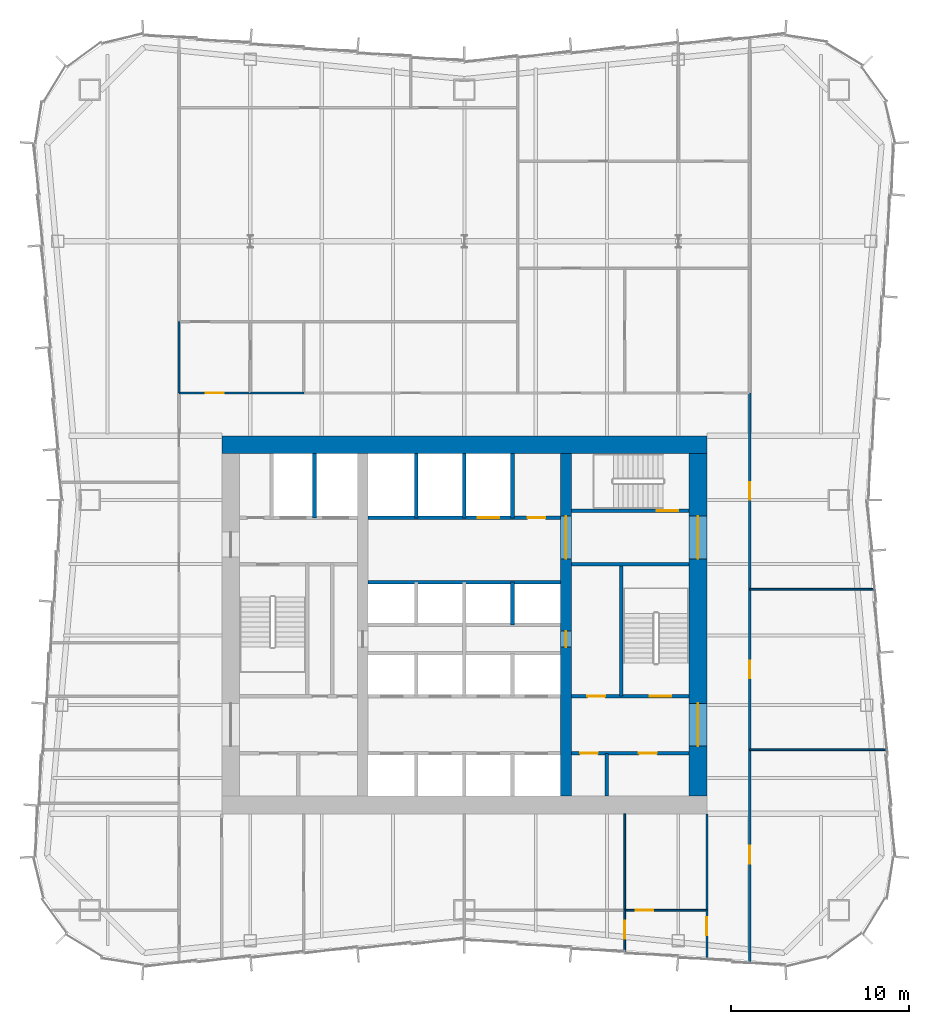
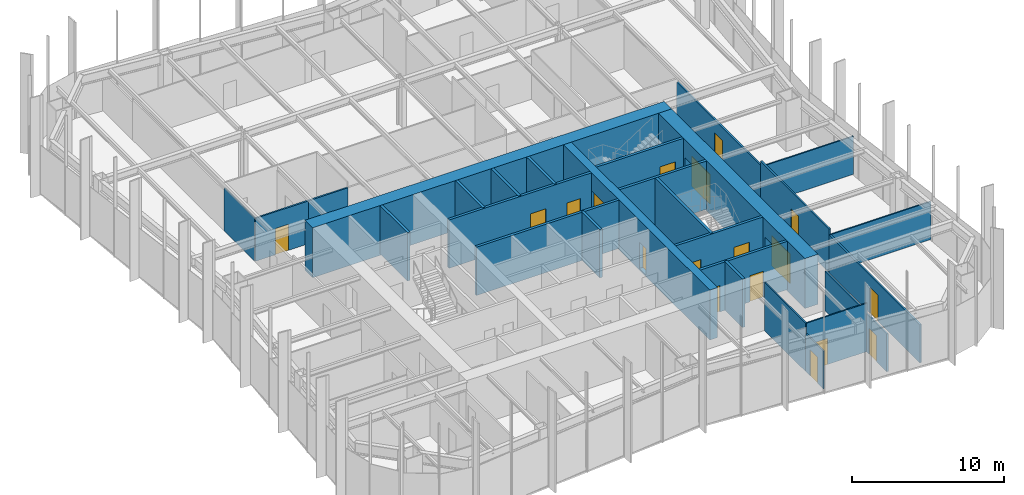
# One storey, part 11 of 14: 29 walls, 18 doors, 18 openings.
"""IFC4 building model written with IfcOpenShell, lengths in metres."""

from ifc_helpers import new_model, si_unit, direction, frame, frame_2d, origin, place, context, subcontext, project, spatial, rectangle, extrude, material, layer, layer_set, type_object, element, fill, save


model = new_model("IFC4")

# Units and contexts
model_context = context("Model", 3, precision=1e-05, world=origin(), true_north=direction((0.0, 1.0)))
body_context = subcontext(model_context, "Body", "Model", "MODEL_VIEW")
ifc_project = project(units=[si_unit("LENGTHUNIT", "METRE"), si_unit("AREAUNIT", "SQUARE_METRE"), si_unit("VOLUMEUNIT", "CUBIC_METRE"), si_unit("PLANEANGLEUNIT", "RADIAN"), si_unit("MASSUNIT", "GRAM", prefix="KILO")], contexts=[model_context])

# Site, building, storey
site_placement = place(None, origin())
site = spatial("IfcSite", under=ifc_project, at=site_placement, CompositionType="ELEMENT")
building_placement = place(site_placement, origin())
building = spatial("IfcBuilding", under=site, at=building_placement, Name="Verdant Reach Tower", CompositionType="ELEMENT")
storey_placement = place(building_placement, frame((0.0, 0.0, 162.0)))
storey = spatial("IfcBuildingStorey", under=building, at=storey_placement, Name="L37", CompositionType="ELEMENT", Elevation=162.0)

# Wall, openings, doors
ifc_material_1 = material(Name="Gypsum board on steel studs", Category="steel")
ifc_layer_1 = layer(ifc_material_1, 0.199951171875)
ifc_layer_set_1 = layer_set([ifc_layer_1], Name="CO-WALL-ROOM")
wall_type_1 = type_object("IfcWallType", Name="CO-WALL-ROOM", PredefinedType="PARTITIONING", material=ifc_layer_set_1)
wall_1_placement = place(storey_placement, frame((6.0, 20.800048828125, 0.0), z_axis=(0.0, 0.0, 1.0), x_axis=(1.0, 0.0, 0.0)))
wall_1 = element("IfcWall", 1, at=wall_1_placement, inside=storey, type_object=wall_type_1, Name="Core partition, L37", PredefinedType="PARTITIONING", context=body_context, shape_type="SweptSolid", body=[
    extrude(rectangle(XDim=6.60009765625, YDim=0.199951171875, at=frame_2d((3.300048828125, 0.0))), origin(), (0.0, 0.0, 1.0), 3.8701171875),
])
opening_1_placement = place(wall_1_placement, frame((0.489990234375, 0.0, 0.0)))
opening_1 = element("IfcOpeningElement", 2, at=opening_1_placement, cuts=wall_1, Name="Opening CD", PredefinedType="OPENING", context=body_context, shape_type="SweptSolid", body=[
    extrude(rectangle(XDim=1.0, YDim=2.10009765625, at=frame_2d((0.5, 1.050048828125))), frame((0.0, 0.10986328125, 0.0), z_axis=(0.0, -1.0, 0.0), x_axis=(1.0, 0.0, 0.0)), (0.0, 0.0, 1.0), 0.219970703125),
])
opening_2_placement = place(wall_1_placement, frame((3.7900390625, 0.0, 0.0)))
opening_2 = element("IfcOpeningElement", 3, at=opening_2_placement, cuts=wall_1, Name="Opening CD", PredefinedType="OPENING", context=body_context, shape_type="SweptSolid", body=[
    extrude(rectangle(XDim=1.0, YDim=2.10009765625, at=frame_2d((0.5, 1.050048828125))), frame((0.0, 0.10986328125, 0.0), z_axis=(0.0, -1.0, 0.0), x_axis=(1.0, 0.0, 0.0)), (0.0, 0.0, 1.0), 0.219970703125),
])
ifc_material_2 = material(Name="Timber", Category="wood")
door_type_1 = type_object("IfcDoorType", Name="CO-DOOR-ROOM", OperationType="NOTDEFINED", PredefinedType="DOOR", material=ifc_material_2)
door_1_placement = place(opening_1_placement, origin())
door_1 = element("IfcDoor", 4, at=door_1_placement, inside=storey, type_object=door_type_1, Name="Core room door, L37", OperationType="SINGLE_SWING_RIGHT", OverallHeight=2.10009765625, OverallWidth=1.0, PredefinedType="DOOR", context=body_context, shape_type="SweptSolid", body=[
    extrude(rectangle(XDim=1.0, YDim=2.10009765625, at=frame_2d((0.5, 1.050048828125))), frame((0.0, 0.02490234375, 0.0), z_axis=(0.0, -1.0, 0.0), x_axis=(1.0, 0.0, 0.0)), (0.0, 0.0, 1.0), 0.050048828125),
])
fill(opening_1, door_1)
door_2_placement = place(opening_2_placement, origin())
door_2 = element("IfcDoor", 5, at=door_2_placement, inside=storey, type_object=door_type_1, Name="Core room door, L37", OperationType="SINGLE_SWING_RIGHT", OverallHeight=2.10009765625, OverallWidth=1.0, PredefinedType="DOOR", context=body_context, shape_type="SweptSolid", body=[
    extrude(rectangle(XDim=1.0, YDim=2.10009765625, at=frame_2d((0.5, 1.050048828125))), frame((0.0, 0.02490234375, 0.0), z_axis=(0.0, -1.0, 0.0), x_axis=(1.0, 0.0, 0.0)), (0.0, 0.0, 1.0), 0.050048828125),
])
fill(opening_2, door_2)

# Walls
wall_2_placement = place(storey_placement, frame((7.97998046875, 18.39990234375, 0.0), z_axis=(0.0, 0.0, 1.0), x_axis=(0.0, 1.0, 0.0)))
element("IfcWall", 6, at=wall_2_placement, inside=storey, type_object=wall_type_1, Name="Core partition, L37", PredefinedType="PARTITIONING", context=body_context, shape_type="SweptSolid", body=[
    extrude(rectangle(XDim=2.400146484375, YDim=0.199951171875, at=frame_2d((1.2001953125, 0.0))), origin(), (0.0, 0.0, 1.0), 3.8701171875),
])
ifc_material_3 = material(Name="Concrete C40/50", Category="concrete")
ifc_layer_2 = layer(ifc_material_3, 0.199951171875)
ifc_layer_set_2 = layer_set([ifc_layer_2], Name="CO-WALL-SHAFT")
wall_type_2 = type_object("IfcWallType", Name="CO-WALL-SHAFT", PredefinedType="PARTITIONING", material=ifc_layer_set_2)
wall_3_placement = place(storey_placement, frame((-5.39990234375, 30.39990234375, 0.0), z_axis=(0.0, 0.0, 1.0), x_axis=(1.0, 0.0, 0.0)))
element("IfcWall", 7, at=wall_3_placement, inside=storey, type_object=wall_type_2, Name="Lift shaft wall, L37", PredefinedType="PARTITIONING", context=body_context, shape_type="SweptSolid", body=[
    extrude(rectangle(XDim=10.7998046875, YDim=0.199951171875, at=frame_2d((5.39990234375, 0.0))), origin(), (0.0, 0.0, 1.0), 3.8701171875),
])

# Wall, openings, doors
wall_4_placement = place(storey_placement, frame((-5.39990234375, 34.0, 0.0), z_axis=(0.0, 0.0, 1.0), x_axis=(1.0, 0.0, 0.0)))
wall_4 = element("IfcWall", 8, at=wall_4_placement, inside=storey, type_object=wall_type_2, Name="Lift shaft wall, L37", PredefinedType="PARTITIONING", context=body_context, shape_type="SweptSolid", body=[
    extrude(rectangle(XDim=10.7998046875, YDim=0.199951171875, at=frame_2d((5.39990234375, 0.0))), origin(), (0.0, 0.0, 1.0), 3.8701171875),
])
opening_3_placement = place(wall_4_placement, frame((6.14990234375, 0.0, 0.0)))
opening_3 = element("IfcOpeningElement", 9, at=opening_3_placement, cuts=wall_4, Name="Opening LD-SL1", PredefinedType="OPENING", context=body_context, shape_type="SweptSolid", body=[
    extrude(rectangle(XDim=1.199951171875, YDim=2.199951171875, at=frame_2d((0.60009765625, 1.10009765625))), frame((0.0, 0.10986328125, 0.0), z_axis=(0.0, -1.0, 0.0), x_axis=(1.0, 0.0, 0.0)), (0.0, 0.0, 1.0), 0.219970703125),
])
opening_4_placement = place(wall_4_placement, frame((8.949951171875, 0.0, 0.0)))
opening_4 = element("IfcOpeningElement", 10, at=opening_4_placement, cuts=wall_4, Name="Opening CD", PredefinedType="OPENING", context=body_context, shape_type="SweptSolid", body=[
    extrude(rectangle(XDim=1.0, YDim=2.10009765625, at=frame_2d((0.5, 1.050048828125))), frame((0.0, 0.10986328125, 0.0), z_axis=(0.0, -1.0, 0.0), x_axis=(1.0, 0.0, 0.0)), (0.0, 0.0, 1.0), 0.219970703125),
])
ifc_material_4 = material(Name="Stainless steel", Category="steel")
door_type_2 = type_object("IfcDoorType", Name="CO-DOOR-LANDING", OperationType="SLIDING_TO_LEFT", PredefinedType="DOOR", material=ifc_material_4)
door_3_placement = place(opening_3_placement, origin())
door_3 = element("IfcDoor", 11, at=door_3_placement, inside=storey, type_object=door_type_2, Name="Landing door SL1, L37", OperationType="SLIDING_TO_LEFT", OverallHeight=2.199951171875, OverallWidth=1.199951171875, PredefinedType="DOOR", context=body_context, shape_type="SweptSolid", body=[
    extrude(rectangle(XDim=1.199951171875, YDim=2.199951171875, at=frame_2d((0.60009765625, 1.10009765625))), frame((0.0, 0.02490234375, 0.0), z_axis=(0.0, -1.0, 0.0), x_axis=(1.0, 0.0, 0.0)), (0.0, 0.0, 1.0), 0.050048828125),
])
fill(opening_3, door_3)
door_4_placement = place(opening_4_placement, origin())
door_4 = element("IfcDoor", 12, at=door_4_placement, inside=storey, type_object=door_type_1, Name="Core room door, L37", OperationType="SINGLE_SWING_LEFT", OverallHeight=2.10009765625, OverallWidth=1.0, PredefinedType="DOOR", context=body_context, shape_type="SweptSolid", body=[
    extrude(rectangle(XDim=1.0, YDim=2.10009765625, at=frame_2d((0.5, 1.050048828125))), frame((0.0, 0.02490234375, 0.0), z_axis=(0.0, -1.0, 0.0), x_axis=(1.0, 0.0, 0.0)), (0.0, 0.0, 1.0), 0.050048828125),
])
fill(opening_4, door_4)

# Walls
for number, where, z_axis, x_axis, name in (
    (13, (-8.39990234375, 34.0, 0.0), (0.0, 0.0, 1.0), (0.0, 1.0, 0.0), "Lift shaft wall, L37"),
    (14, (-2.699951171875, 34.0, 0.0), (0.0, 0.0, 1.0), (0.0, 1.0, 0.0), "Lift shaft wall, L37"),
    (15, (0.0, 34.0, 0.0), (0.0, 0.0, 1.0), (0.0, 1.0, 0.0), "Lift shaft wall, L37"),
):
    element("IfcWall", number, at=place(storey_placement, frame(where, z_axis=z_axis, x_axis=x_axis)), inside=storey, type_object=wall_type_2, Name=name, PredefinedType="PARTITIONING", context=body_context, shape_type="SweptSolid", body=[
        extrude(rectangle(XDim=3.60009765625, YDim=0.199951171875, at=frame_2d((1.800048828125, 0.0))), origin(), (0.0, 0.0, 1.0), 3.8701171875),
    ])
wall_5_placement = place(storey_placement, frame((2.699951171875, 28.0, 0.0), z_axis=(0.0, 0.0, 1.0), x_axis=(0.0, 1.0, 0.0)))
element("IfcWall", 16, at=wall_5_placement, inside=storey, type_object=wall_type_2, Name="Lift shaft wall, L37", PredefinedType="PARTITIONING", context=body_context, shape_type="SweptSolid", body=[
    extrude(rectangle(XDim=2.39990234375, YDim=0.199951171875, at=frame_2d((1.199951171875, 0.0))), origin(), (0.0, 0.0, 1.0), 3.8701171875),
])
wall_6_placement = place(storey_placement, frame((2.699951171875, 34.0, 0.0), z_axis=(0.0, 0.0, 1.0), x_axis=(0.0, 1.0, 0.0)))
element("IfcWall", 17, at=wall_6_placement, inside=storey, type_object=wall_type_2, Name="Lift shaft wall, L37", PredefinedType="PARTITIONING", context=body_context, shape_type="SweptSolid", body=[
    extrude(rectangle(XDim=3.60009765625, YDim=0.199951171875, at=frame_2d((1.800048828125, 0.0))), origin(), (0.0, 0.0, 1.0), 3.8701171875),
])

# Wall, openings, doors
ifc_layer_3 = layer(ifc_material_3, 0.199951171875)
ifc_layer_set_3 = layer_set([ifc_layer_3], Name="CO-WALL-STAIR")
wall_type_3 = type_object("IfcWallType", Name="CO-WALL-STAIR", PredefinedType="PARTITIONING", material=ifc_layer_set_3)
wall_7_placement = place(storey_placement, frame((6.0, 24.0, 0.0), z_axis=(0.0, 0.0, 1.0), x_axis=(1.0, 0.0, 0.0)))
wall_7 = element("IfcWall", 18, at=wall_7_placement, inside=storey, type_object=wall_type_3, Name="Stair enclosure wall, L37", PredefinedType="PARTITIONING", context=body_context, shape_type="SweptSolid", body=[
    extrude(rectangle(XDim=6.60009765625, YDim=0.199951171875, at=frame_2d((3.300048828125, 0.0))), origin(), (0.0, 0.0, 1.0), 3.8701171875),
])
opening_5_placement = place(wall_7_placement, frame((0.89990234375, 0.0, 0.0)))
opening_5 = element("IfcOpeningElement", 19, at=opening_5_placement, cuts=wall_7, Name="Opening CD", PredefinedType="OPENING", context=body_context, shape_type="SweptSolid", body=[
    extrude(rectangle(XDim=1.0, YDim=2.10009765625, at=frame_2d((0.5, 1.050048828125))), frame((0.0, 0.10986328125, 0.0), z_axis=(0.0, -1.0, 0.0), x_axis=(1.0, 0.0, 0.0)), (0.0, 0.0, 1.0), 0.219970703125),
])
opening_6_placement = place(wall_7_placement, frame((4.39990234375, 0.0, 0.0)))
opening_6 = element("IfcOpeningElement", 20, at=opening_6_placement, cuts=wall_7, Name="Opening SD", PredefinedType="OPENING", context=body_context, shape_type="SweptSolid", body=[
    extrude(rectangle(XDim=1.199951171875, YDim=2.199951171875, at=frame_2d((0.60009765625, 1.10009765625))), frame((0.0, 0.10986328125, 0.0), z_axis=(0.0, -1.0, 0.0), x_axis=(1.0, 0.0, 0.0)), (0.0, 0.0, 1.0), 0.219970703125),
])
door_5_placement = place(opening_5_placement, origin())
door_5 = element("IfcDoor", 21, at=door_5_placement, inside=storey, type_object=door_type_1, Name="Core room door, L37", OperationType="SINGLE_SWING_RIGHT", OverallHeight=2.10009765625, OverallWidth=1.0, PredefinedType="DOOR", context=body_context, shape_type="SweptSolid", body=[
    extrude(rectangle(XDim=1.0, YDim=2.10009765625, at=frame_2d((0.5, 1.050048828125))), frame((0.0, 0.02490234375, 0.0), z_axis=(0.0, -1.0, 0.0), x_axis=(1.0, 0.0, 0.0)), (0.0, 0.0, 1.0), 0.050048828125),
])
fill(opening_5, door_5)
ifc_material_5 = material(Name="Steel", Category="steel")
door_type_3 = type_object("IfcDoorType", Name="CO-DOOR-STAIR", OperationType="NOTDEFINED", PredefinedType="DOOR", material=ifc_material_5)
door_6_placement = place(opening_6_placement, origin())
door_6 = element("IfcDoor", 22, at=door_6_placement, inside=storey, type_object=door_type_3, Name="Stair door, L37", OperationType="SINGLE_SWING_LEFT", OverallHeight=2.199951171875, OverallWidth=1.199951171875, PredefinedType="DOOR", context=body_context, shape_type="SweptSolid", body=[
    extrude(rectangle(XDim=1.199951171875, YDim=2.199951171875, at=frame_2d((0.60009765625, 1.10009765625))), frame((0.0, 0.02490234375, 0.0), z_axis=(0.0, -1.0, 0.0), x_axis=(1.0, 0.0, 0.0)), (0.0, 0.0, 1.0), 0.050048828125),
])
fill(opening_6, door_6)

# Wall
wall_8_placement = place(storey_placement, frame((6.0, 31.39990234375, 0.0), z_axis=(0.0, 0.0, 1.0), x_axis=(1.0, 0.0, 0.0)))
element("IfcWall", 23, at=wall_8_placement, inside=storey, type_object=wall_type_3, Name="Stair enclosure wall, L37", PredefinedType="PARTITIONING", context=body_context, shape_type="SweptSolid", body=[
    extrude(rectangle(XDim=6.60009765625, YDim=0.199951171875, at=frame_2d((3.300048828125, 0.0))), origin(), (0.0, 0.0, 1.0), 3.8701171875),
])

# Wall, opening, door
wall_9_placement = place(storey_placement, frame((6.0, 34.39990234375, 0.0), z_axis=(0.0, 0.0, 1.0), x_axis=(1.0, 0.0, 0.0)))
wall_9 = element("IfcWall", 24, at=wall_9_placement, inside=storey, type_object=wall_type_3, Name="Stair enclosure wall, L37", PredefinedType="PARTITIONING", context=body_context, shape_type="SweptSolid", body=[
    extrude(rectangle(XDim=6.60009765625, YDim=0.199951171875, at=frame_2d((3.300048828125, 0.0))), origin(), (0.0, 0.0, 1.0), 3.8701171875),
])
opening_7_placement = place(wall_9_placement, frame((4.800048828125, 0.0, 0.0)))
opening_7 = element("IfcOpeningElement", 25, at=opening_7_placement, cuts=wall_9, Name="Opening SD", PredefinedType="OPENING", context=body_context, shape_type="SweptSolid", body=[
    extrude(rectangle(XDim=1.199951171875, YDim=2.199951171875, at=frame_2d((0.60009765625, 1.10009765625))), frame((0.0, 0.10986328125, 0.0), z_axis=(0.0, -1.0, 0.0), x_axis=(1.0, 0.0, 0.0)), (0.0, 0.0, 1.0), 0.219970703125),
])
door_7_placement = place(opening_7_placement, origin())
door_7 = element("IfcDoor", 26, at=door_7_placement, inside=storey, type_object=door_type_3, Name="Stair door, L37", OperationType="SINGLE_SWING_RIGHT", OverallHeight=2.199951171875, OverallWidth=1.199951171875, PredefinedType="DOOR", context=body_context, shape_type="SweptSolid", body=[
    extrude(rectangle(XDim=1.199951171875, YDim=2.199951171875, at=frame_2d((0.60009765625, 1.10009765625))), frame((0.0, 0.02490234375, 0.0), z_axis=(0.0, -1.0, 0.0), x_axis=(1.0, 0.0, 0.0)), (0.0, 0.0, 1.0), 0.050048828125),
])
fill(opening_7, door_7)

# Walls
wall_10_placement = place(storey_placement, frame((8.800048828125, 24.0, 0.0), z_axis=(0.0, 0.0, 1.0), x_axis=(0.0, 1.0, 0.0)))
element("IfcWall", 27, at=wall_10_placement, inside=storey, type_object=wall_type_3, Name="Stair enclosure wall, L37", PredefinedType="PARTITIONING", context=body_context, shape_type="SweptSolid", body=[
    extrude(rectangle(XDim=7.39990234375, YDim=0.199951171875, at=frame_2d((3.699951171875, 0.0))), origin(), (0.0, 0.0, 1.0), 3.8701171875),
])
ifc_layer_4 = layer(ifc_material_1, 0.10009765625)
ifc_layer_set_4 = layer_set([ifc_layer_4], Name="FL-W1 Partition 100")
wall_type_4 = type_object("IfcWallType", Name="FL-W1 Partition 100", PredefinedType="PARTITIONING", material=ifc_layer_set_4)
wall_11_placement = place(storey_placement, frame((-16.0, 41.0, 0.0), z_axis=(0.0, 0.0, 1.0), x_axis=(0.0, 1.0, 0.0)))
element("IfcWall", 28, at=wall_11_placement, inside=storey, type_object=wall_type_4, Name="Partition 37.26", PredefinedType="PARTITIONING", context=body_context, shape_type="SweptSolid", body=[
    extrude(rectangle(XDim=4.0, YDim=0.10009765625, at=frame_2d((2.0, 0.0))), origin(), (0.0, 0.0, 1.0), 3.43994140625),
])
wall_12_placement = place(storey_placement, frame((23.6298828125, 21.0, 0.0), z_axis=(0.0, 0.0, 1.0), x_axis=(-1.0, 0.0, 0.0)))
element("IfcWall", 29, at=wall_12_placement, inside=storey, type_object=wall_type_4, Name="Partition 37.29", PredefinedType="PARTITIONING", context=body_context, shape_type="SweptSolid", body=[
    extrude(rectangle(XDim=7.6298828125, YDim=0.10009765625, at=frame_2d((3.81494140625, 0.0))), origin(), (0.0, 0.0, 1.0), 3.0400390625),
])
wall_13_placement = place(storey_placement, frame((22.955078125, 30.0, 0.0), z_axis=(0.0, 0.0, 1.0), x_axis=(-1.0, 0.0, 0.0)))
element("IfcWall", 30, at=wall_13_placement, inside=storey, type_object=wall_type_4, Name="Partition 37.30", PredefinedType="PARTITIONING", context=body_context, shape_type="SweptSolid", body=[
    extrude(rectangle(XDim=6.955078125, YDim=0.10009765625, at=frame_2d((3.4775390625, 0.0))), origin(), (0.0, 0.0, 1.0), 3.0400390625),
])

# Wall, opening, door
wall_14_placement = place(storey_placement, frame((9.0, 12.0, 0.0), z_axis=(0.0, 0.0, 1.0), x_axis=(1.0, 0.0, 0.0)))
wall_14 = element("IfcWall", 31, at=wall_14_placement, inside=storey, type_object=wall_type_4, Name="Partition 37.37", PredefinedType="PARTITIONING", context=body_context, shape_type="SweptSolid", body=[
    extrude(rectangle(XDim=4.60009765625, YDim=0.10009765625, at=frame_2d((2.300048828125, 0.0))), origin(), (0.0, 0.0, 1.0), 3.8701171875),
])
opening_8_placement = place(wall_14_placement, frame((0.60009765625, 0.0, 0.0)))
opening_8 = element("IfcOpeningElement", 32, at=opening_8_placement, cuts=wall_14, Name="Opening D3", PredefinedType="OPENING", context=body_context, shape_type="SweptSolid", body=[
    extrude(rectangle(XDim=1.0, YDim=2.10009765625, at=frame_2d((0.5, 1.050048828125))), frame((0.0, 0.06005859375, 0.0), z_axis=(0.0, -1.0, 0.0), x_axis=(1.0, 0.0, 0.0)), (0.0, 0.0, 1.0), 0.1201171875),
])
ifc_material_6 = material(Name="Painted timber door leaf", Category="wood")
door_type_4 = type_object("IfcDoorType", Name="FL-D3 Door 1000x2100", OperationType="NOTDEFINED", PredefinedType="DOOR", material=ifc_material_6)
door_8_placement = place(opening_8_placement, origin())
door_8 = element("IfcDoor", 33, at=door_8_placement, inside=storey, type_object=door_type_4, Name="Door 37-018", OperationType="SINGLE_SWING_LEFT", OverallHeight=2.10009765625, OverallWidth=1.0, PredefinedType="DOOR", context=body_context, shape_type="SweptSolid", body=[
    extrude(rectangle(XDim=1.0, YDim=2.10009765625, at=frame_2d((0.5, 1.050048828125))), frame((0.0, 0.02490234375, 0.0), z_axis=(0.0, -1.0, 0.0), x_axis=(1.0, 0.0, 0.0)), (0.0, 0.0, 1.0), 0.050048828125),
])
fill(opening_8, door_8)

wall_15_placement = place(storey_placement, frame((9.0, 9.669921875, 0.0), z_axis=(0.0, 0.0, 1.0), x_axis=(0.0, 1.0, 0.0)))
wall_15 = element("IfcWall", 34, at=wall_15_placement, inside=storey, type_object=wall_type_4, Name="Partition 37.38", PredefinedType="PARTITIONING", context=body_context, shape_type="SweptSolid", body=[
    extrude(rectangle(XDim=2.330078125, YDim=0.10009765625, at=frame_2d((1.1650390625, 0.0))), origin(), (0.0, 0.0, 1.0), 3.0400390625),
])
opening_9_placement = place(wall_15_placement, frame((0.72998046875, 0.0, 0.0)))
opening_9 = element("IfcOpeningElement", 35, at=opening_9_placement, cuts=wall_15, Name="Opening D3", PredefinedType="OPENING", context=body_context, shape_type="SweptSolid", body=[
    extrude(rectangle(XDim=1.0, YDim=2.10009765625, at=frame_2d((0.5, 1.050048828125))), frame((0.0, 0.06005859375, 0.0), z_axis=(0.0, -1.0, 0.0), x_axis=(1.0, 0.0, 0.0)), (0.0, 0.0, 1.0), 0.1201171875),
])
door_9_placement = place(opening_9_placement, origin())
door_9 = element("IfcDoor", 36, at=door_9_placement, inside=storey, type_object=door_type_4, Name="Door 37-019", OperationType="SINGLE_SWING_RIGHT", OverallHeight=2.10009765625, OverallWidth=1.0, PredefinedType="DOOR", context=body_context, shape_type="SweptSolid", body=[
    extrude(rectangle(XDim=1.0, YDim=2.10009765625, at=frame_2d((0.5, 1.050048828125))), frame((0.0, 0.02490234375, 0.0), z_axis=(0.0, -1.0, 0.0), x_axis=(1.0, 0.0, 0.0)), (0.0, 0.0, 1.0), 0.050048828125),
])
fill(opening_9, door_9)

# Wall
wall_16_placement = place(storey_placement, frame((9.0, 17.39990234375, 0.0), z_axis=(0.0, 0.0, 1.0), x_axis=(0.0, -1.0, 0.0)))
element("IfcWall", 37, at=wall_16_placement, inside=storey, type_object=wall_type_4, Name="Partition 37.39", PredefinedType="PARTITIONING", context=body_context, shape_type="SweptSolid", body=[
    extrude(rectangle(XDim=5.39990234375, YDim=0.10009765625, at=frame_2d((2.699951171875, 0.0))), origin(), (0.0, 0.0, 1.0), 3.8701171875),
])

# Wall, opening, door
ifc_material_7 = material(Name="Gypsum board on steel studs, fire rated", Category="steel")
ifc_layer_5 = layer(ifc_material_7, 0.125)
ifc_layer_set_5 = layer_set([ifc_layer_5], Name="FL-W2 Corridor wall 125")
wall_type_5 = type_object("IfcWallType", Name="FL-W2 Corridor wall 125", PredefinedType="PARTITIONING", material=ifc_layer_set_5)
wall_17_placement = place(storey_placement, frame((16.0, 21.0, 0.0), z_axis=(0.0, 0.0, 1.0), x_axis=(0.0, -1.0, 0.0)))
wall_17 = element("IfcWall", 38, at=wall_17_placement, inside=storey, type_object=wall_type_5, Name="Partition 37.08", PredefinedType="PARTITIONING", context=body_context, shape_type="SweptSolid", body=[
    extrude(rectangle(XDim=11.913330078125, YDim=0.125, at=frame_2d((5.95654296875, 0.0))), origin(), (0.0, 0.0, 1.0), 3.0400390625),
])
opening_10_placement = place(wall_17_placement, frame((5.3916015625, 0.0, 0.0)))
opening_10 = element("IfcOpeningElement", 39, at=opening_10_placement, cuts=wall_17, Name="Opening D2", PredefinedType="OPENING", context=body_context, shape_type="SweptSolid", body=[
    extrude(rectangle(XDim=1.0, YDim=2.10009765625, at=frame_2d((0.5, 1.050048828125))), frame((0.0, 0.072509765625, 0.0), z_axis=(0.0, -1.0, 0.0), x_axis=(1.0, 0.0, 0.0)), (0.0, 0.0, 1.0), 0.14501953125),
])
ifc_material_8 = material(Name="Timber door leaf, fire rated", Category="wood")
door_type_5 = type_object("IfcDoorType", Name="FL-D2 Entrance door 1000x2100 FD30", OperationType="NOTDEFINED", PredefinedType="DOOR", material=ifc_material_8)
door_10_placement = place(opening_10_placement, origin())
door_10 = element("IfcDoor", 40, at=door_10_placement, inside=storey, type_object=door_type_5, Name="Door 37-008", OperationType="SINGLE_SWING_LEFT", OverallHeight=2.10009765625, OverallWidth=1.0, PredefinedType="DOOR", context=body_context, shape_type="SweptSolid", body=[
    extrude(rectangle(XDim=1.0, YDim=2.10009765625, at=frame_2d((0.5, 1.050048828125))), frame((0.0, 0.02490234375, 0.0), z_axis=(0.0, -1.0, 0.0), x_axis=(1.0, 0.0, 0.0)), (0.0, 0.0, 1.0), 0.050048828125),
])
fill(opening_10, door_10)

wall_18_placement = place(storey_placement, frame((16.0, 30.0, 0.0), z_axis=(0.0, 0.0, 1.0), x_axis=(0.0, -1.0, 0.0)))
wall_18 = element("IfcWall", 41, at=wall_18_placement, inside=storey, type_object=wall_type_5, Name="Partition 37.09", PredefinedType="PARTITIONING", context=body_context, shape_type="SweptSolid", body=[
    extrude(rectangle(XDim=9.0, YDim=0.125, at=frame_2d((4.5, 0.0))), origin(), (0.0, 0.0, 1.0), 3.47998046875),
])
opening_11_placement = place(wall_18_placement, frame((4.0, 0.0, 0.0)))
opening_11 = element("IfcOpeningElement", 42, at=opening_11_placement, cuts=wall_18, Name="Opening D2", PredefinedType="OPENING", context=body_context, shape_type="SweptSolid", body=[
    extrude(rectangle(XDim=1.0, YDim=2.10009765625, at=frame_2d((0.5, 1.050048828125))), frame((0.0, 0.072509765625, 0.0), z_axis=(0.0, -1.0, 0.0), x_axis=(1.0, 0.0, 0.0)), (0.0, 0.0, 1.0), 0.14501953125),
])
door_11_placement = place(opening_11_placement, origin())
door_11 = element("IfcDoor", 43, at=door_11_placement, inside=storey, type_object=door_type_5, Name="Door 37-009", OperationType="SINGLE_SWING_LEFT", OverallHeight=2.10009765625, OverallWidth=1.0, PredefinedType="DOOR", context=body_context, shape_type="SweptSolid", body=[
    extrude(rectangle(XDim=1.0, YDim=2.10009765625, at=frame_2d((0.5, 1.050048828125))), frame((0.0, 0.02490234375, 0.0), z_axis=(0.0, -1.0, 0.0), x_axis=(1.0, 0.0, 0.0)), (0.0, 0.0, 1.0), 0.050048828125),
])
fill(opening_11, door_11)

wall_19_placement = place(storey_placement, frame((16.0, 41.00390625, 0.0), z_axis=(0.0, 0.0, 1.0), x_axis=(0.0, -1.0, 0.0)))
wall_19 = element("IfcWall", 44, at=wall_19_placement, inside=storey, type_object=wall_type_5, Name="Partition 37.10", PredefinedType="PARTITIONING", context=body_context, shape_type="SweptSolid", body=[
    extrude(rectangle(XDim=11.00390625, YDim=0.125, at=frame_2d((5.501953125, 0.0))), origin(), (0.0, 0.0, 1.0), 3.139892578125),
])
opening_12_placement = place(wall_19_placement, frame((5.001953125, 0.0, 0.0)))
opening_12 = element("IfcOpeningElement", 45, at=opening_12_placement, cuts=wall_19, Name="Opening D2", PredefinedType="OPENING", context=body_context, shape_type="SweptSolid", body=[
    extrude(rectangle(XDim=1.0, YDim=2.10009765625, at=frame_2d((0.5, 1.050048828125))), frame((0.0, 0.072509765625, 0.0), z_axis=(0.0, -1.0, 0.0), x_axis=(1.0, 0.0, 0.0)), (0.0, 0.0, 1.0), 0.14501953125),
])
door_12_placement = place(opening_12_placement, origin())
door_12 = element("IfcDoor", 46, at=door_12_placement, inside=storey, type_object=door_type_5, Name="Door 37-010", OperationType="SINGLE_SWING_RIGHT", OverallHeight=2.10009765625, OverallWidth=1.0, PredefinedType="DOOR", context=body_context, shape_type="SweptSolid", body=[
    extrude(rectangle(XDim=1.0, YDim=2.10009765625, at=frame_2d((0.5, 1.050048828125))), frame((0.0, 0.02490234375, 0.0), z_axis=(0.0, -1.0, 0.0), x_axis=(1.0, 0.0, 0.0)), (0.0, 0.0, 1.0), 0.050048828125),
])
fill(opening_12, door_12)

wall_20_placement = place(storey_placement, frame((13.60009765625, 9.28662109375, 0.0), z_axis=(0.0, 0.0, 1.0), x_axis=(0.0, 1.0, 0.0)))
wall_20 = element("IfcWall", 47, at=wall_20_placement, inside=storey, type_object=wall_type_5, Name="Partition 37.12", PredefinedType="PARTITIONING", context=body_context, shape_type="SweptSolid", body=[
    extrude(rectangle(XDim=2.71337890625, YDim=0.125, at=frame_2d((1.356689453125, 0.0))), origin(), (0.0, 0.0, 1.0), 3.0400390625),
])
opening_13_placement = place(wall_20_placement, frame((1.32177734375, 0.0, 0.0)))
opening_13 = element("IfcOpeningElement", 48, at=opening_13_placement, cuts=wall_20, Name="Opening D2", PredefinedType="OPENING", context=body_context, shape_type="SweptSolid", body=[
    extrude(rectangle(XDim=1.0, YDim=2.10009765625, at=frame_2d((0.5, 1.050048828125))), frame((0.0, 0.072509765625, 0.0), z_axis=(0.0, -1.0, 0.0), x_axis=(1.0, 0.0, 0.0)), (0.0, 0.0, 1.0), 0.14501953125),
])
door_13_placement = place(opening_13_placement, origin())
door_13 = element("IfcDoor", 49, at=door_13_placement, inside=storey, type_object=door_type_5, Name="Door 37-012", OperationType="SINGLE_SWING_RIGHT", OverallHeight=2.10009765625, OverallWidth=1.0, PredefinedType="DOOR", context=body_context, shape_type="SweptSolid", body=[
    extrude(rectangle(XDim=1.0, YDim=2.10009765625, at=frame_2d((0.5, 1.050048828125))), frame((0.0, 0.02490234375, 0.0), z_axis=(0.0, -1.0, 0.0), x_axis=(1.0, 0.0, 0.0)), (0.0, 0.0, 1.0), 0.050048828125),
])
fill(opening_13, door_13)

# Wall
wall_21_placement = place(storey_placement, frame((13.60009765625, 12.0, 0.0), z_axis=(0.0, 0.0, 1.0), x_axis=(0.0, 1.0, 0.0)))
element("IfcWall", 50, at=wall_21_placement, inside=storey, type_object=wall_type_5, Name="Partition 37.13", PredefinedType="PARTITIONING", context=body_context, shape_type="SweptSolid", body=[
    extrude(rectangle(XDim=5.39990234375, YDim=0.125, at=frame_2d((2.699951171875, 0.0))), origin(), (0.0, 0.0, 1.0), 3.139892578125),
])

# Wall, opening, door
wall_22_placement = place(storey_placement, frame((-16.0, 41.0, 0.0), z_axis=(0.0, 0.0, 1.0), x_axis=(1.0, 0.0, 0.0)))
wall_22 = element("IfcWall", 51, at=wall_22_placement, inside=storey, type_object=wall_type_5, Name="Partition 37.14", PredefinedType="PARTITIONING", context=body_context, shape_type="SweptSolid", body=[
    extrude(rectangle(XDim=4.0, YDim=0.125, at=frame_2d((2.0, 0.0))), origin(), (0.0, 0.0, 1.0), 3.43994140625),
])
opening_14_placement = place(wall_22_placement, frame((1.5, 0.0, 0.0)))
opening_14 = element("IfcOpeningElement", 52, at=opening_14_placement, cuts=wall_22, Name="Opening D2", PredefinedType="OPENING", context=body_context, shape_type="SweptSolid", body=[
    extrude(rectangle(XDim=1.0, YDim=2.10009765625, at=frame_2d((0.5, 1.050048828125))), frame((0.0, 0.072509765625, 0.0), z_axis=(0.0, -1.0, 0.0), x_axis=(1.0, 0.0, 0.0)), (0.0, 0.0, 1.0), 0.14501953125),
])
door_14_placement = place(opening_14_placement, origin())
door_14 = element("IfcDoor", 53, at=door_14_placement, inside=storey, type_object=door_type_5, Name="Door 37-013", OperationType="SINGLE_SWING_LEFT", OverallHeight=2.10009765625, OverallWidth=1.0, PredefinedType="DOOR", context=body_context, shape_type="SweptSolid", body=[
    extrude(rectangle(XDim=1.0, YDim=2.10009765625, at=frame_2d((0.5, 1.050048828125))), frame((0.0, 0.02490234375, 0.0), z_axis=(0.0, -1.0, 0.0), x_axis=(1.0, 0.0, 0.0)), (0.0, 0.0, 1.0), 0.050048828125),
])
fill(opening_14, door_14)

# Walls
wall_23_placement = place(storey_placement, frame((-9.0, 41.0, 0.0), z_axis=(0.0, 0.0, 1.0), x_axis=(-1.0, 0.0, 0.0)))
element("IfcWall", 54, at=wall_23_placement, inside=storey, type_object=wall_type_5, Name="Partition 37.15", PredefinedType="PARTITIONING", context=body_context, shape_type="SweptSolid", body=[
    extrude(rectangle(XDim=3.0, YDim=0.125, at=frame_2d((1.5, 0.0))), origin(), (0.0, 0.0, 1.0), 3.43994140625),
])
ifc_material_9 = material(Name="Concrete C70/85", Category="concrete")
ifc_layer_6 = layer(ifc_material_9, 1.0)
ifc_layer_set_6 = layer_set([ifc_layer_6], Name="ST-CORE-WALL-1000")
wall_type_6 = type_object("IfcWallType", Name="ST-CORE-WALL-1000", PredefinedType="SHEAR", material=ifc_layer_set_6)
wall_24_placement = place(storey_placement, frame((-13.60009765625, 38.10009765625, -0.1298828125), z_axis=(0.0, 0.0, 1.0), x_axis=(1.0, 0.0, 0.0)))
element("IfcWall", 55, at=wall_24_placement, inside=storey, type_object=wall_type_6, Name="Core wall N, L37", PredefinedType="SHEAR", context=body_context, shape_type="SweptSolid", body=[
    extrude(rectangle(XDim=27.2001953125, YDim=1.0, at=frame_2d((13.60009765625, 0.0))), origin(), (0.0, 0.0, 1.0), 4.0),
])

# Wall, openings, doors
wall_25_placement = place(storey_placement, frame((13.10009765625, 18.39990234375, -0.1298828125), z_axis=(0.0, 0.0, 1.0), x_axis=(0.0, 1.0, 0.0)))
wall_25 = element("IfcWall", 56, at=wall_25_placement, inside=storey, type_object=wall_type_6, Name="Core wall E, L37", PredefinedType="SHEAR", context=body_context, shape_type="SweptSolid", body=[
    extrude(rectangle(XDim=19.2001953125, YDim=1.0, at=frame_2d((9.60009765625, 0.0))), origin(), (0.0, 0.0, 1.0), 4.0),
])
opening_15_placement = place(wall_25_placement, frame((2.800048828125, 0.0, 0.1298828125)))
opening_15 = element("IfcOpeningElement", 57, at=opening_15_placement, cuts=wall_25, Name="Opening LB", PredefinedType="OPENING", context=body_context, shape_type="SweptSolid", body=[
    extrude(rectangle(XDim=2.39990234375, YDim=2.39990234375, at=frame_2d((1.199951171875, 1.199951171875))), frame((0.0, 0.510009765625, 0.0), z_axis=(0.0, -1.0, 0.0), x_axis=(1.0, 0.0, 0.0)), (0.0, 0.0, 1.0), 1.02001953125),
])
opening_16_placement = place(wall_25_placement, frame((13.300048828125, 0.0, 0.1298828125)))
opening_16 = element("IfcOpeningElement", 58, at=opening_16_placement, cuts=wall_25, Name="Opening LB", PredefinedType="OPENING", context=body_context, shape_type="SweptSolid", body=[
    extrude(rectangle(XDim=2.39990234375, YDim=2.39990234375, at=frame_2d((1.199951171875, 1.199951171875))), frame((0.0, 0.510009765625, 0.0), z_axis=(0.0, -1.0, 0.0), x_axis=(1.0, 0.0, 0.0)), (0.0, 0.0, 1.0), 1.02001953125),
])
ifc_material_10 = material(Name="Glass and steel", Category="steel")
door_type_6 = type_object("IfcDoorType", Name="CO-DOOR-LOBBY", OperationType="DOUBLE_DOOR_SINGLE_SWING", PredefinedType="DOOR", material=ifc_material_10)
door_15_placement = place(opening_15_placement, origin())
door_15 = element("IfcDoor", 59, at=door_15_placement, inside=storey, type_object=door_type_6, Name="Core entrance door, L37", OperationType="DOUBLE_DOOR_SINGLE_SWING", OverallHeight=2.39990234375, OverallWidth=2.39990234375, PredefinedType="DOOR", context=body_context, shape_type="SweptSolid", body=[
    extrude(rectangle(XDim=2.39990234375, YDim=2.39990234375, at=frame_2d((1.199951171875, 1.199951171875))), frame((0.0, 0.02490234375, 0.0), z_axis=(0.0, -1.0, 0.0), x_axis=(1.0, 0.0, 0.0)), (0.0, 0.0, 1.0), 0.050048828125),
])
fill(opening_15, door_15)
door_16_placement = place(opening_16_placement, origin())
door_16 = element("IfcDoor", 60, at=door_16_placement, inside=storey, type_object=door_type_6, Name="Core entrance door, L37", OperationType="DOUBLE_DOOR_SINGLE_SWING", OverallHeight=2.39990234375, OverallWidth=2.39990234375, PredefinedType="DOOR", context=body_context, shape_type="SweptSolid", body=[
    extrude(rectangle(XDim=2.39990234375, YDim=2.39990234375, at=frame_2d((1.199951171875, 1.199951171875))), frame((0.0, 0.02490234375, 0.0), z_axis=(0.0, -1.0, 0.0), x_axis=(1.0, 0.0, 0.0)), (0.0, 0.0, 1.0), 0.050048828125),
])
fill(opening_16, door_16)

ifc_layer_7 = layer(ifc_material_9, 0.60009765625)
ifc_layer_set_7 = layer_set([ifc_layer_7], Name="ST-CORE-WALL-600")
wall_type_7 = type_object("IfcWallType", Name="ST-CORE-WALL-600", PredefinedType="SHEAR", material=ifc_layer_set_7)
wall_26_placement = place(storey_placement, frame((5.699951171875, 18.39990234375, -0.1298828125), z_axis=(0.0, 0.0, 1.0), x_axis=(0.0, 1.0, 0.0)))
wall_26 = element("IfcWall", 61, at=wall_26_placement, inside=storey, type_object=wall_type_7, Name="Core wall XE, L37", PredefinedType="SHEAR", context=body_context, shape_type="SweptSolid", body=[
    extrude(rectangle(XDim=19.2001953125, YDim=0.60009765625, at=frame_2d((9.60009765625, 0.0))), origin(), (0.0, 0.0, 1.0), 4.0),
])
opening_17_placement = place(wall_26_placement, frame((8.35009765625, 0.0, 0.1298828125)))
opening_17 = element("IfcOpeningElement", 62, at=opening_17_placement, cuts=wall_26, Name="Opening RD", PredefinedType="OPENING", context=body_context, shape_type="SweptSolid", body=[
    extrude(rectangle(XDim=0.89990234375, YDim=2.10009765625, at=frame_2d((0.449951171875, 1.050048828125))), frame((0.0, 0.31005859375, 0.0), z_axis=(0.0, -1.0, 0.0), x_axis=(1.0, 0.0, 0.0)), (0.0, 0.0, 1.0), 0.6201171875),
])
opening_18_placement = place(wall_26_placement, frame((13.300048828125, 0.0, 0.1298828125)))
opening_18 = element("IfcOpeningElement", 63, at=opening_18_placement, cuts=wall_26, Name="Opening LB", PredefinedType="OPENING", context=body_context, shape_type="SweptSolid", body=[
    extrude(rectangle(XDim=2.39990234375, YDim=2.39990234375, at=frame_2d((1.199951171875, 1.199951171875))), frame((0.0, 0.31005859375, 0.0), z_axis=(0.0, -1.0, 0.0), x_axis=(1.0, 0.0, 0.0)), (0.0, 0.0, 1.0), 0.6201171875),
])
door_17_placement = place(opening_18_placement, origin())
door_17 = element("IfcDoor", 64, at=door_17_placement, inside=storey, type_object=door_type_6, Name="Core entrance door, L37", OperationType="DOUBLE_DOOR_SINGLE_SWING", OverallHeight=2.39990234375, OverallWidth=2.39990234375, PredefinedType="DOOR", context=body_context, shape_type="SweptSolid", body=[
    extrude(rectangle(XDim=2.39990234375, YDim=2.39990234375, at=frame_2d((1.199951171875, 1.199951171875))), frame((0.0, 0.02490234375, 0.0), z_axis=(0.0, -1.0, 0.0), x_axis=(1.0, 0.0, 0.0)), (0.0, 0.0, 1.0), 0.050048828125),
])
fill(opening_18, door_17)
door_type_7 = type_object("IfcDoorType", Name="CO-DOOR-RISER", OperationType="NOTDEFINED", PredefinedType="DOOR", material=ifc_material_5)
door_18_placement = place(opening_17_placement, origin())
door_18 = element("IfcDoor", 65, at=door_18_placement, inside=storey, type_object=door_type_7, Name="Riser door, L37", OperationType="SINGLE_SWING_RIGHT", OverallHeight=2.10009765625, OverallWidth=0.89990234375, PredefinedType="DOOR", context=body_context, shape_type="SweptSolid", body=[
    extrude(rectangle(XDim=0.89990234375, YDim=2.10009765625, at=frame_2d((0.449951171875, 1.050048828125))), frame((0.0, 0.02490234375, 0.0), z_axis=(0.0, -1.0, 0.0), x_axis=(1.0, 0.0, 0.0)), (0.0, 0.0, 1.0), 0.050048828125),
])
fill(opening_17, door_18)

save(model, "model.ifc")
